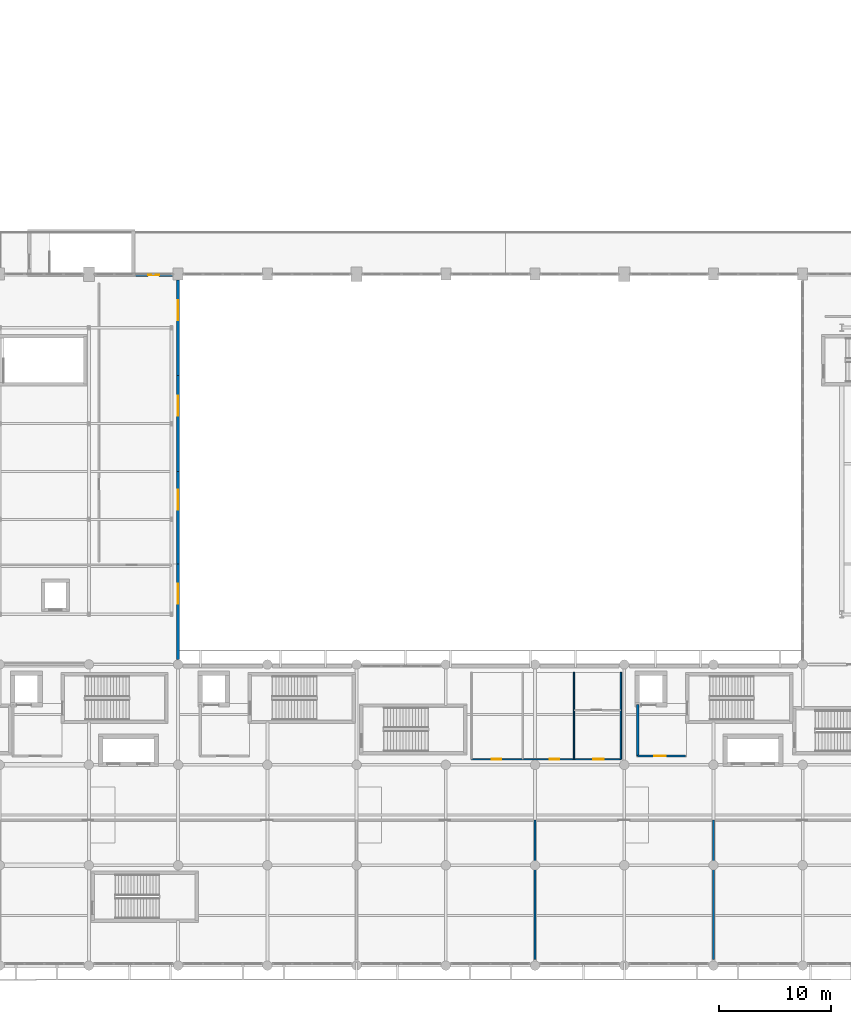
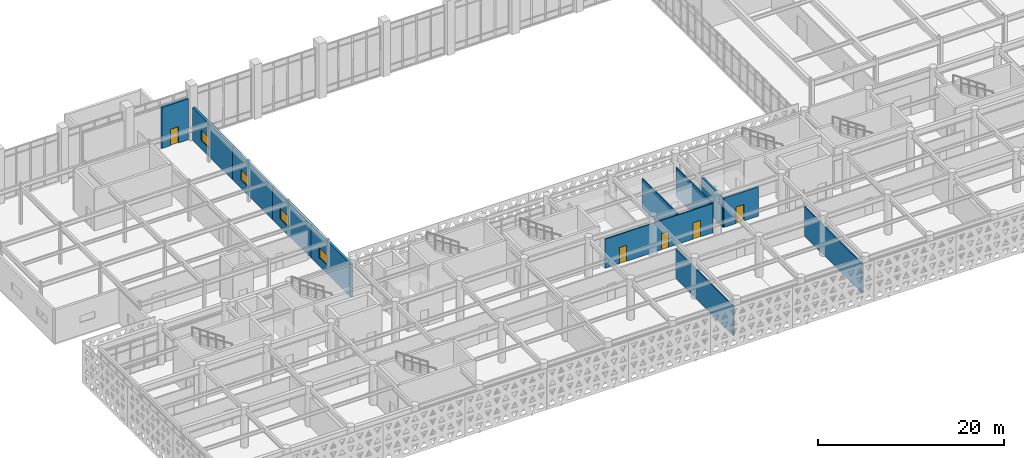
# One storey, part 63 of 84: 12 walls, 5 doors, 4 windows, 9 openings.
"""IFC4 building model written with IfcOpenShell, lengths in metres."""

from ifc_helpers import new_model, si_unit, direction, frame, frame_2d, origin, place, context, subcontext, project, spatial, rectangle, extrude, material, layer, layer_set, type_object, element, fill, save


model = new_model("IFC4")

# Units and contexts
model_context = context("Model", 3, precision=1e-05, world=origin(), true_north=direction((0.0, 1.0)))
body_context = subcontext(model_context, "Body", "Model", "MODEL_VIEW")
ifc_project = project(units=[si_unit("LENGTHUNIT", "METRE"), si_unit("AREAUNIT", "SQUARE_METRE"), si_unit("VOLUMEUNIT", "CUBIC_METRE"), si_unit("PLANEANGLEUNIT", "RADIAN"), si_unit("MASSUNIT", "GRAM", prefix="KILO")], contexts=[model_context])

# Site, building, storey
site_placement = place(None, origin())
site = spatial("IfcSite", under=ifc_project, at=site_placement, CompositionType="ELEMENT")
building_placement = place(site_placement, origin())
building = spatial("IfcBuilding", under=site, at=building_placement, Name="Tlacozan Convention Centre", CompositionType="ELEMENT")
storey_placement = place(building_placement, frame((0.0, 0.0, 6.0)))
storey = spatial("IfcBuildingStorey", under=building, at=storey_placement, Name="L01", CompositionType="ELEMENT", Elevation=6.0)

# Wall, opening, door
ifc_material_1 = material(Name="Concrete C40/50", Category="concrete")
ifc_layer_1 = layer(ifc_material_1, 0.260009765625)
ifc_layer_set_1 = layer_set([ifc_layer_1], Name="Concrete C40/50")
wall_type_1 = type_object("IfcWallType", Name="Compartment Rated Wall RC 260", PredefinedType="SOLIDWALL", material=ifc_layer_set_1)
wall_1_placement = place(storey_placement, frame((28.199951171875, 61.89990234375, 0.0), z_axis=(0.0, 0.0, 1.0), x_axis=(1.0, 0.0, 0.0)))
wall_1 = element("IfcWall", 1, at=wall_1_placement, inside=storey, type_object=wall_type_1, Name="L01 Compartment Rated Wall RC 260 630", PredefinedType="SOLIDWALL", context=body_context, shape_type="SweptSolid", body=[
    extrude(rectangle(XDim=3.300048828125, YDim=0.260009765625, at=frame_2d((1.64990234375, 0.0))), origin(), (0.0, 0.0, 1.0), 5.39990234375),
])
opening_1_placement = place(wall_1_placement, frame((1.10009765625, 0.0, 0.0)))
opening_1 = element("IfcOpeningElement", 2, at=opening_1_placement, cuts=wall_1, Name="Opening FD-01", PredefinedType="OPENING", context=body_context, shape_type="SweptSolid", body=[
    extrude(rectangle(XDim=1.0, YDim=2.14990234375, at=frame_2d((0.5, 1.074951171875))), frame((0.0, 0.139892578125, 0.0), z_axis=(0.0, -1.0, 0.0), x_axis=(1.0, 0.0, 0.0)), (0.0, 0.0, 1.0), 0.280029296875),
])
ifc_material_2 = material(Name="Fire-Rated Insulated Steel Door Leaf", Category="steel")
door_type_1 = type_object("IfcDoorType", Name="Fire Door Single 1000x2150 FD90", OperationType="NOTDEFINED", PredefinedType="DOOR", material=ifc_material_2)
door_1_placement = place(opening_1_placement, origin())
door_1 = element("IfcDoor", 3, at=door_1_placement, inside=storey, type_object=door_type_1, Name="L01 Fire Door Single 1000x2150 FD90 233", OperationType="SINGLE_SWING_RIGHT", OverallHeight=2.14990234375, OverallWidth=1.0, PredefinedType="DOOR", context=body_context, shape_type="SweptSolid", body=[
    extrude(rectangle(XDim=1.0, YDim=2.14990234375, at=frame_2d((0.5, 1.074951171875))), frame((0.0, 0.02490234375, 0.0), z_axis=(0.0, -1.0, 0.0), x_axis=(1.0, 0.0, 0.0)), (0.0, 0.0, 1.0), 0.050048828125),
])
fill(opening_1, door_1)

ifc_material_3 = material(Name="Fire-Rated Gypsum Stud Partition Assembly")
ifc_layer_2 = layer(ifc_material_3, 0.2099609375)
ifc_layer_set_2 = layer_set([ifc_layer_2], Name="Fire-Rated Gypsum Stud Partition Assembly")
wall_type_2 = type_object("IfcWallType", Name="Firefighting Lobby Rated Wall 210", PredefinedType="PARTITIONING", material=ifc_layer_set_2)
wall_2_placement = place(storey_placement, frame((73.199951171875, 18.800048828125, 0.0), z_axis=(0.0, 0.0, 1.0), x_axis=(1.0, 0.0, 0.0)))
wall_2 = element("IfcWall", 4, at=wall_2_placement, inside=storey, type_object=wall_type_2, Name="L01 Firefighting Lobby Rated Wall 210 117", PredefinedType="PARTITIONING", context=body_context, shape_type="SweptSolid", body=[
    extrude(rectangle(XDim=4.300048828125, YDim=0.2099609375, at=frame_2d((2.14990234375, 0.0))), origin(), (0.0, 0.0, 1.0), 3.85009765625),
])
opening_2_placement = place(wall_2_placement, frame((1.5, 0.0, 0.0)))
opening_2 = element("IfcOpeningElement", 5, at=opening_2_placement, cuts=wall_2, Name="Opening FD-01", PredefinedType="OPENING", context=body_context, shape_type="SweptSolid", body=[
    extrude(rectangle(XDim=1.0, YDim=2.14990234375, at=frame_2d((0.5, 1.074951171875))), frame((0.0, 0.114990234375, 0.0), z_axis=(0.0, -1.0, 0.0), x_axis=(1.0, 0.0, 0.0)), (0.0, 0.0, 1.0), 0.22998046875),
])
door_2_placement = place(opening_2_placement, origin())
door_2 = element("IfcDoor", 6, at=door_2_placement, inside=storey, type_object=door_type_1, Name="L01 CORE-2 Firefighting Lobby Entry Door", OperationType="SINGLE_SWING_LEFT", OverallHeight=2.14990234375, OverallWidth=1.0, PredefinedType="DOOR", context=body_context, shape_type="SweptSolid", body=[
    extrude(rectangle(XDim=1.0, YDim=2.14990234375, at=frame_2d((0.5, 1.074951171875))), frame((0.0, 0.02490234375, 0.0), z_axis=(0.0, -1.0, 0.0), x_axis=(1.0, 0.0, 0.0)), (0.0, 0.0, 1.0), 0.050048828125),
])
fill(opening_2, door_2)

# Walls
wall_3_placement = place(storey_placement, frame((73.199951171875, 18.800048828125, 0.0), z_axis=(0.0, 0.0, 1.0), x_axis=(0.0, 1.0, 0.0)))
element("IfcWall", 7, at=wall_3_placement, inside=storey, type_object=wall_type_2, Name="L01 Firefighting Lobby Rated Wall 210 118", PredefinedType="PARTITIONING", context=body_context, shape_type="SweptSolid", body=[
    extrude(rectangle(XDim=4.599853515625, YDim=0.2099609375, at=frame_2d((2.2998046875, 0.0))), origin(), (0.0, 0.0, 1.0), 3.85009765625),
])
ifc_material_4 = material(Name="Acoustic Double-Stud Partition Assembly")
ifc_layer_3 = layer(ifc_material_4, 0.159912109375)
ifc_layer_set_3 = layer_set([ifc_layer_3], Name="Acoustic Double-Stud Partition Assembly")
wall_type_3 = type_object("IfcWallType", Name="Meeting Acoustic Partition 160", PredefinedType="PARTITIONING", material=ifc_layer_set_3)
for number, where, z_axis, x_axis, name in (
    (8, (64.0, 0.550048828125, 0.0), (0.0, 0.0, 1.0), (0.0, 1.0, 0.0), "L01 Meeting Acoustic Partition 160 588"),
    (9, (80.0, 0.550048828125, 0.0), (0.0, 0.0, 1.0), (0.0, 1.0, 0.0), "L01 Meeting Acoustic Partition 160 589"),
):
    element("IfcWall", number, at=place(storey_placement, frame(where, z_axis=z_axis, x_axis=x_axis)), inside=storey, type_object=wall_type_3, Name=name, PredefinedType="PARTITIONING", context=body_context, shape_type="SweptSolid", body=[
        extrude(rectangle(XDim=12.5, YDim=0.159912109375, at=frame_2d((6.25, 0.0))), origin(), (0.0, 0.0, 1.0), 3.85009765625),
    ])

# Wall, opening, window
ifc_material_5 = material(Name="Pale Lime-Render Masonry Assembly", Category="masonry")
ifc_layer_4 = layer(ifc_material_5, 0.280029296875)
ifc_layer_set_4 = layer_set([ifc_layer_4], Name="Pale Lime-Render Masonry Assembly")
wall_type_4 = type_object("IfcWallType", Name="Pale-Render Service Wing Wall 280", PredefinedType="SOLIDWALL", material=ifc_layer_set_4)
wall_4_placement = place(storey_placement, frame((32.0, 27.449951171875, 0.0), z_axis=(0.0, 0.0, 1.0), x_axis=(0.0, 1.0, 0.0)))
wall_4 = element("IfcWall", 10, at=wall_4_placement, inside=storey, type_object=wall_type_4, Name="L01 Pale-Render Service Wing Wall 280 202", PredefinedType="SOLIDWALL", context=body_context, shape_type="SweptSolid", body=[
    extrude(rectangle(XDim=8.550048828125, YDim=0.280029296875, at=frame_2d((4.27490234375, 0.0))), origin(), (0.0, 0.0, 1.0), 4.35009765625),
])
opening_3_placement = place(wall_4_placement, frame((4.97509765625, 0.0, 1.10009765625)))
opening_3 = element("IfcOpeningElement", 11, at=opening_3_placement, cuts=wall_4, Name="Opening WN-11", PredefinedType="OPENING", context=body_context, shape_type="SweptSolid", body=[
    extrude(rectangle(XDim=1.800048828125, YDim=1.35009765625, at=frame_2d((0.89990234375, 0.675048828125))), frame((0.0, 0.14990234375, 0.0), z_axis=(0.0, -1.0, 0.0), x_axis=(1.0, 0.0, 0.0)), (0.0, 0.0, 1.0), 0.300048828125),
])
ifc_material_6 = material(Name="Solar Control Double Low-E Argon Glazing", Category="glass")
window_type = type_object("IfcWindowType", Name="Service Wing Casement Window 1800x1350", PartitioningType="SINGLE_PANEL", PredefinedType="WINDOW", material=ifc_material_6)
window_1_placement = place(opening_3_placement, origin())
window_1 = element("IfcWindow", 12, at=window_1_placement, inside=storey, type_object=window_type, Name="L01 Service Wing Casement Window 1800x1350 68", OverallHeight=1.35009765625, OverallWidth=1.800048828125, PartitioningType="SINGLE_PANEL", PredefinedType="WINDOW", context=body_context, shape_type="SweptSolid", body=[
    extrude(rectangle(XDim=1.800048828125, YDim=1.35009765625, at=frame_2d((0.89990234375, 0.675048828125))), frame((0.0, 0.030029296875, 0.0), z_axis=(0.0, -1.0, 0.0), x_axis=(1.0, 0.0, 0.0)), (0.0, 0.0, 1.0), 0.06005859375),
])
fill(opening_3, window_1)

wall_5_placement = place(storey_placement, frame((32.0, 36.0, 0.0), z_axis=(0.0, 0.0, 1.0), x_axis=(0.0, 1.0, 0.0)))
wall_5 = element("IfcWall", 13, at=wall_5_placement, inside=storey, type_object=wall_type_4, Name="L01 Pale-Render Service Wing Wall 280 204", PredefinedType="SOLIDWALL", context=body_context, shape_type="SweptSolid", body=[
    extrude(rectangle(XDim=8.300048828125, YDim=0.280029296875, at=frame_2d((4.14990234375, 0.0))), origin(), (0.0, 0.0, 1.0), 4.35009765625),
])
opening_4_placement = place(wall_5_placement, frame((4.85009765625, 0.0, 1.10009765625)))
opening_4 = element("IfcOpeningElement", 14, at=opening_4_placement, cuts=wall_5, Name="Opening WN-11", PredefinedType="OPENING", context=body_context, shape_type="SweptSolid", body=[
    extrude(rectangle(XDim=1.800048828125, YDim=1.35009765625, at=frame_2d((0.89990234375, 0.675048828125))), frame((0.0, 0.14990234375, 0.0), z_axis=(0.0, -1.0, 0.0), x_axis=(1.0, 0.0, 0.0)), (0.0, 0.0, 1.0), 0.300048828125),
])
window_2_placement = place(opening_4_placement, origin())
window_2 = element("IfcWindow", 15, at=window_2_placement, inside=storey, type_object=window_type, Name="L01 Service Wing Casement Window 1800x1350 70", OverallHeight=1.35009765625, OverallWidth=1.800048828125, PartitioningType="SINGLE_PANEL", PredefinedType="WINDOW", context=body_context, shape_type="SweptSolid", body=[
    extrude(rectangle(XDim=1.800048828125, YDim=1.35009765625, at=frame_2d((0.89990234375, 0.675048828125))), frame((0.0, 0.030029296875, 0.0), z_axis=(0.0, -1.0, 0.0), x_axis=(1.0, 0.0, 0.0)), (0.0, 0.0, 1.0), 0.06005859375),
])
fill(opening_4, window_2)

wall_6_placement = place(storey_placement, frame((32.0, 44.300048828125, 0.0), z_axis=(0.0, 0.0, 1.0), x_axis=(0.0, 1.0, 0.0)))
wall_6 = element("IfcWall", 16, at=wall_6_placement, inside=storey, type_object=wall_type_4, Name="L01 Pale-Render Service Wing Wall 280 206", PredefinedType="SOLIDWALL", context=body_context, shape_type="SweptSolid", body=[
    extrude(rectangle(XDim=8.599853515625, YDim=0.280029296875, at=frame_2d((4.2998046875, 0.0))), origin(), (0.0, 0.0, 1.0), 4.35009765625),
])
opening_5_placement = place(wall_6_placement, frame((5.0, 0.0, 1.10009765625)))
opening_5 = element("IfcOpeningElement", 17, at=opening_5_placement, cuts=wall_6, Name="Opening WN-11", PredefinedType="OPENING", context=body_context, shape_type="SweptSolid", body=[
    extrude(rectangle(XDim=1.800048828125, YDim=1.35009765625, at=frame_2d((0.89990234375, 0.675048828125))), frame((0.0, 0.14990234375, 0.0), z_axis=(0.0, -1.0, 0.0), x_axis=(1.0, 0.0, 0.0)), (0.0, 0.0, 1.0), 0.300048828125),
])
window_3_placement = place(opening_5_placement, origin())
window_3 = element("IfcWindow", 18, at=window_3_placement, inside=storey, type_object=window_type, Name="L01 Service Wing Casement Window 1800x1350 72", OverallHeight=1.35009765625, OverallWidth=1.800048828125, PartitioningType="SINGLE_PANEL", PredefinedType="WINDOW", context=body_context, shape_type="SweptSolid", body=[
    extrude(rectangle(XDim=1.800048828125, YDim=1.35009765625, at=frame_2d((0.89990234375, 0.675048828125))), frame((0.0, 0.030029296875, 0.0), z_axis=(0.0, -1.0, 0.0), x_axis=(1.0, 0.0, 0.0)), (0.0, 0.0, 1.0), 0.06005859375),
])
fill(opening_5, window_3)

wall_7_placement = place(storey_placement, frame((32.0, 52.89990234375, 0.0), z_axis=(0.0, 0.0, 1.0), x_axis=(0.0, 1.0, 0.0)))
wall_7 = element("IfcWall", 19, at=wall_7_placement, inside=storey, type_object=wall_type_4, Name="L01 Pale-Render Service Wing Wall 280 208", PredefinedType="SOLIDWALL", context=body_context, shape_type="SweptSolid", body=[
    extrude(rectangle(XDim=8.550048828125, YDim=0.280029296875, at=frame_2d((4.27490234375, 0.0))), origin(), (0.0, 0.0, 1.0), 4.35009765625),
])
opening_6_placement = place(wall_7_placement, frame((4.97509765625, 0.0, 1.10009765625)))
opening_6 = element("IfcOpeningElement", 20, at=opening_6_placement, cuts=wall_7, Name="Opening WN-11", PredefinedType="OPENING", context=body_context, shape_type="SweptSolid", body=[
    extrude(rectangle(XDim=1.800048828125, YDim=1.35009765625, at=frame_2d((0.89990234375, 0.675048828125))), frame((0.0, 0.14990234375, 0.0), z_axis=(0.0, -1.0, 0.0), x_axis=(1.0, 0.0, 0.0)), (0.0, 0.0, 1.0), 0.300048828125),
])
window_4_placement = place(opening_6_placement, origin())
window_4 = element("IfcWindow", 21, at=window_4_placement, inside=storey, type_object=window_type, Name="L01 Service Wing Casement Window 1800x1350 74", OverallHeight=1.35009765625, OverallWidth=1.800048828125, PartitioningType="SINGLE_PANEL", PredefinedType="WINDOW", context=body_context, shape_type="SweptSolid", body=[
    extrude(rectangle(XDim=1.800048828125, YDim=1.35009765625, at=frame_2d((0.89990234375, 0.675048828125))), frame((0.0, 0.030029296875, 0.0), z_axis=(0.0, -1.0, 0.0), x_axis=(1.0, 0.0, 0.0)), (0.0, 0.0, 1.0), 0.06005859375),
])
fill(opening_6, window_4)

# Wall, openings, doors
ifc_layer_5 = layer(ifc_material_4, 0.1201171875)
ifc_layer_set_5 = layer_set([ifc_layer_5], Name="Acoustic Double-Stud Partition Assembly")
wall_type_5 = type_object("IfcWallType", Name="Sanitary Tile Partition 120", PredefinedType="PARTITIONING", material=ifc_layer_set_5)
wall_8_placement = place(storey_placement, frame((58.300048828125, 18.5, 0.0), z_axis=(0.0, 0.0, 1.0), x_axis=(1.0, 0.0, 0.0)))
wall_8 = element("IfcWall", 22, at=wall_8_placement, inside=storey, type_object=wall_type_5, Name="L01 Sanitary Tile Partition 120 537", PredefinedType="PARTITIONING", context=body_context, shape_type="SweptSolid", body=[
    extrude(rectangle(XDim=13.39990234375, YDim=0.1201171875, at=frame_2d((6.699951171875, 0.0))), origin(), (0.0, 0.0, 1.0), 3.85009765625),
])
opening_7_placement = place(wall_8_placement, frame((1.800048828125, 0.0, 0.0)))
opening_7 = element("IfcOpeningElement", 23, at=opening_7_placement, cuts=wall_8, Name="Opening ID-05", PredefinedType="OPENING", context=body_context, shape_type="SweptSolid", body=[
    extrude(rectangle(XDim=0.8798828125, YDim=2.10009765625, at=frame_2d((0.43994140625, 1.050048828125))), frame((0.0, 0.070068359375, 0.0), z_axis=(0.0, -1.0, 0.0), x_axis=(1.0, 0.0, 0.0)), (0.0, 0.0, 1.0), 0.14013671875),
])
opening_8_placement = place(wall_8_placement, frame((7.0, 0.0, 0.0)))
opening_8 = element("IfcOpeningElement", 24, at=opening_8_placement, cuts=wall_8, Name="Opening ID-05", PredefinedType="OPENING", context=body_context, shape_type="SweptSolid", body=[
    extrude(rectangle(XDim=0.8798828125, YDim=2.10009765625, at=frame_2d((0.43994140625, 1.050048828125))), frame((0.0, 0.070068359375, 0.0), z_axis=(0.0, -1.0, 0.0), x_axis=(1.0, 0.0, 0.0)), (0.0, 0.0, 1.0), 0.14013671875),
])
opening_9_placement = place(wall_8_placement, frame((10.89990234375, 0.0, 0.0)))
opening_9 = element("IfcOpeningElement", 25, at=opening_9_placement, cuts=wall_8, Name="Opening ID-04", PredefinedType="OPENING", context=body_context, shape_type="SweptSolid", body=[
    extrude(rectangle(XDim=0.97998046875, YDim=2.14990234375, at=frame_2d((0.489990234375, 1.074951171875))), frame((0.0, 0.070068359375, 0.0), z_axis=(0.0, -1.0, 0.0), x_axis=(1.0, 0.0, 0.0)), (0.0, 0.0, 1.0), 0.14013671875),
])
ifc_material_7 = material(Name="Acoustic Solid-Core Oak Veneer Door")
door_type_2 = type_object("IfcDoorType", Name="Accessible Restroom Door 980x2150", OperationType="NOTDEFINED", PredefinedType="DOOR", material=ifc_material_7)
door_3_placement = place(opening_9_placement, origin())
door_3 = element("IfcDoor", 26, at=door_3_placement, inside=storey, type_object=door_type_2, Name="L01 Accessible Restroom Door", OperationType="SINGLE_SWING_LEFT", OverallHeight=2.14990234375, OverallWidth=0.97998046875, PredefinedType="DOOR", context=body_context, shape_type="SweptSolid", body=[
    extrude(rectangle(XDim=0.97998046875, YDim=2.14990234375, at=frame_2d((0.489990234375, 1.074951171875))), frame((0.0, 0.02490234375, 0.0), z_axis=(0.0, -1.0, 0.0), x_axis=(1.0, 0.0, 0.0)), (0.0, 0.0, 1.0), 0.050048828125),
])
fill(opening_9, door_3)
door_type_3 = type_object("IfcDoorType", Name="Restroom Single Door 880x2100", OperationType="NOTDEFINED", PredefinedType="DOOR", material=ifc_material_7)
door_4_placement = place(opening_7_placement, origin())
door_4 = element("IfcDoor", 27, at=door_4_placement, inside=storey, type_object=door_type_3, Name="L01 Male Restroom Door", OperationType="SINGLE_SWING_LEFT", OverallHeight=2.10009765625, OverallWidth=0.8798828125, PredefinedType="DOOR", context=body_context, shape_type="SweptSolid", body=[
    extrude(rectangle(XDim=0.8798828125, YDim=2.10009765625, at=frame_2d((0.43994140625, 1.050048828125))), frame((0.0, 0.02490234375, 0.0), z_axis=(0.0, -1.0, 0.0), x_axis=(1.0, 0.0, 0.0)), (0.0, 0.0, 1.0), 0.050048828125),
])
fill(opening_7, door_4)
door_5_placement = place(opening_8_placement, origin())
door_5 = element("IfcDoor", 28, at=door_5_placement, inside=storey, type_object=door_type_3, Name="L01 Female Restroom Door", OperationType="SINGLE_SWING_RIGHT", OverallHeight=2.10009765625, OverallWidth=0.8798828125, PredefinedType="DOOR", context=body_context, shape_type="SweptSolid", body=[
    extrude(rectangle(XDim=0.8798828125, YDim=2.10009765625, at=frame_2d((0.43994140625, 1.050048828125))), frame((0.0, 0.02490234375, 0.0), z_axis=(0.0, -1.0, 0.0), x_axis=(1.0, 0.0, 0.0)), (0.0, 0.0, 1.0), 0.050048828125),
])
fill(opening_8, door_5)

# Walls
for number, where, z_axis, x_axis, name in (
    (29, (67.5, 18.5, 0.0), (0.0, 0.0, 1.0), (0.0, 1.0, 0.0), "L01 Sanitary Tile Partition 120 540"),
    (30, (71.699951171875, 18.5, 0.0), (0.0, 0.0, 1.0), (0.0, 1.0, 0.0), "L01 Sanitary Tile Partition 120 541"),
):
    element("IfcWall", number, at=place(storey_placement, frame(where, z_axis=z_axis, x_axis=x_axis)), inside=storey, type_object=wall_type_5, Name=name, PredefinedType="PARTITIONING", context=body_context, shape_type="SweptSolid", body=[
        extrude(rectangle(XDim=7.800048828125, YDim=0.1201171875, at=frame_2d((3.89990234375, 0.0))), origin(), (0.0, 0.0, 1.0), 3.85009765625),
    ])

save(model, "model.ifc")
